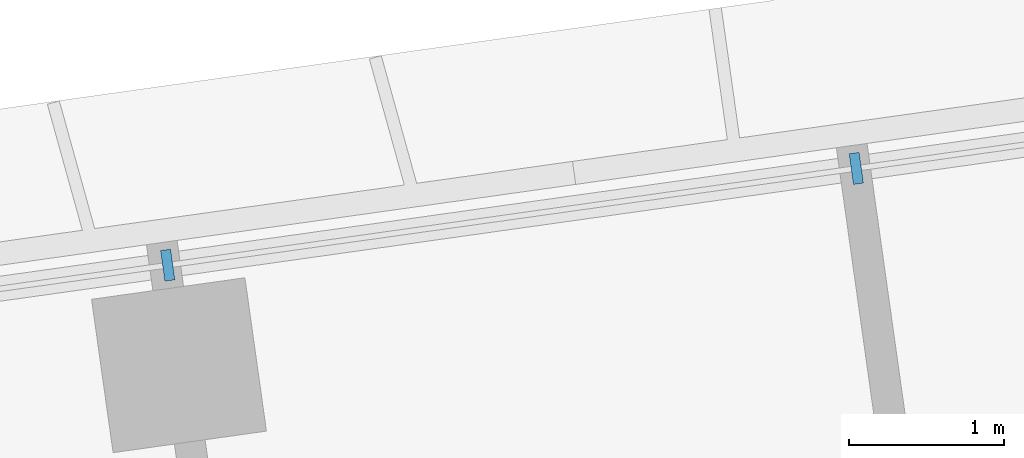
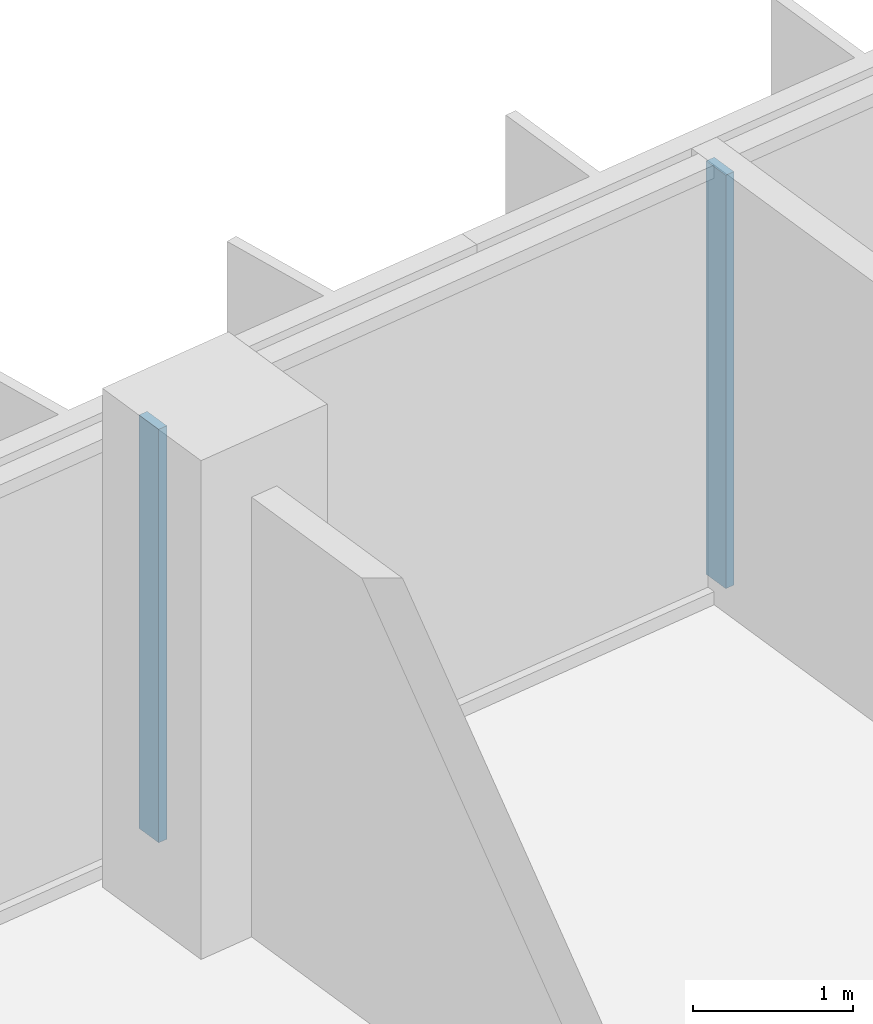
# One storey, part 8 of 24: 2 members, 1 element without a shape of its own.
"""IFC4 building model written with IfcOpenShell, lengths in metres."""

from ifc_helpers import new_model, si_unit, direction, frame, origin, origin_2d, place, context, subcontext, project, spatial, rectangle, extrude, material, material_profile, profile_set, type_object, element, aggregate, save


model = new_model("IFC4")

# Units and contexts
model_context = context("Model", 3, precision=1e-05, world=origin(), true_north=direction((0.0, 1.0)))
body_context = subcontext(model_context, "Body", "Model", "MODEL_VIEW")
ifc_project = project(units=[si_unit("LENGTHUNIT", "METRE"), si_unit("AREAUNIT", "SQUARE_METRE"), si_unit("VOLUMEUNIT", "CUBIC_METRE"), si_unit("PLANEANGLEUNIT", "RADIAN"), si_unit("MASSUNIT", "GRAM", prefix="KILO")], contexts=[model_context])

# Site, building, storey
site_placement = place(None, origin())
site = spatial("IfcSite", under=ifc_project, at=site_placement, CompositionType="ELEMENT")
building_placement = place(site_placement, origin())
building = spatial("IfcBuilding", under=site, at=building_placement, Name="Mirante Cascada Hotel Towers", CompositionType="ELEMENT")
storey_placement = place(building_placement, frame((0.0, 0.0, 43.3)))
storey = spatial("IfcBuildingStorey", under=building, at=storey_placement, Name="L07", CompositionType="ELEMENT", Elevation=43.3)

# Curtain wall, members
ifc_material_1 = material(Name="Aluminium mullion and transom frame with clear laminated glass", Category="aluminium")
curtain_wall_type = type_object("IfcCurtainWallType", Name="Ribbon curtain wall ECW1", PredefinedType="NOTDEFINED", material=ifc_material_1)
curtain_wall_placement = place(storey_placement, origin())
curtain_wall = element("IfcCurtainWall", 1, at=curtain_wall_placement, inside=storey, type_object=curtain_wall_type, Name="Front ribbon wall T2 L07", PredefinedType="NOTDEFINED")
ifc_material_2 = material(Name="Anodised aluminium extrusion", Category="aluminium")
ifc_material_profile = material_profile(ifc_material_2, rectangle(XDim=0.2, YDim=0.065, at=origin_2d()), Name="ECW1 MULLION 65x200")
ifc_profile_set = profile_set([ifc_material_profile], Name="Anodised aluminium extrusion")
member_type = type_object("IfcMemberType", Name="ECW1 mullion 65x200", PredefinedType="MULLION", material=ifc_profile_set)
member_1_placement = place(storey_placement, frame((58.5788, 21.0517, 0.1), z_axis=(0.0, 0.0, 1.0), x_axis=(0.1391731, -0.9902681, 0.0)))
member_1 = element("IfcMember", 2, at=member_1_placement, type_object=member_type, Name="ECW1 mullion 9", PredefinedType="MULLION", context=body_context, shape_type="SweptSolid", body=[
    extrude(rectangle(XDim=0.2, YDim=0.065, at=origin_2d()), origin(), (0.0, 0.0, 1.0), 3.15),
])
member_2_placement = place(storey_placement, frame((54.1314, 20.4267, 0.1), z_axis=(0.0, 0.0, 1.0), x_axis=(0.1391731, -0.9902681, 0.0)))
member_2 = element("IfcMember", 3, at=member_2_placement, type_object=member_type, Name="ECW1 mullion 10", PredefinedType="MULLION", context=body_context, shape_type="SweptSolid", body=[
    extrude(rectangle(XDim=0.2, YDim=0.065, at=origin_2d()), origin(), (0.0, 0.0, 1.0), 3.15),
])
aggregate(curtain_wall, [member_1, member_2])

save(model, "model.ifc")
